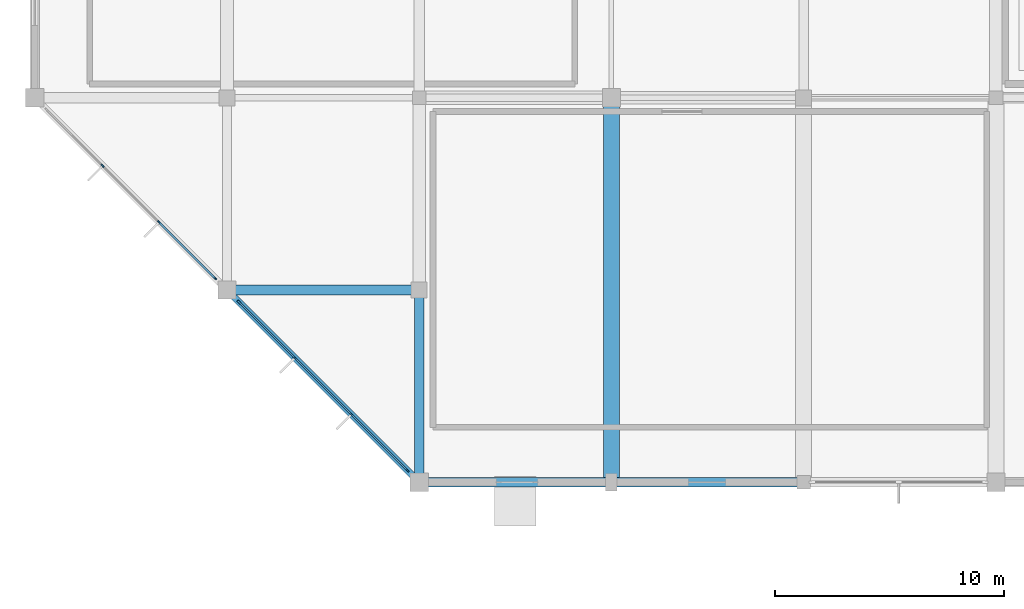
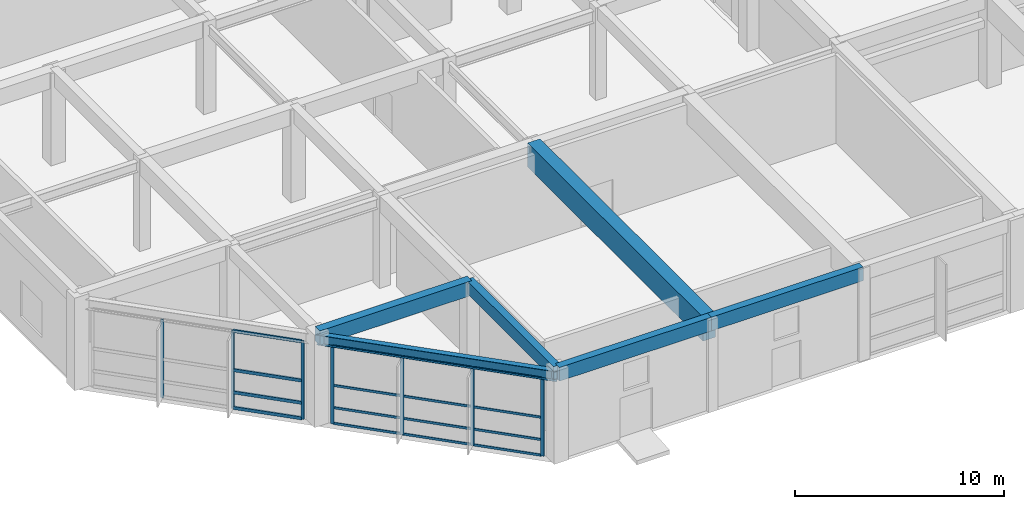
# One storey, part 8 of 62: 23 members, 6 beams, 2 elements without a shape of their own.
"""IFC4 building model written with IfcOpenShell, lengths in metres."""

from ifc_helpers import new_model, si_unit, direction, frame, origin, origin_2d, place, context, subcontext, project, spatial, rectangle, i_section, extrude, material, material_profile, profile_set, type_object, element, aggregate, save


model = new_model("IFC4")

# Units and contexts
model_context = context("Model", 3, precision=1e-05, world=origin(), true_north=direction((0.0, 1.0)))
body_context = subcontext(model_context, "Body", "Model", "MODEL_VIEW")
ifc_project = project(units=[si_unit("LENGTHUNIT", "METRE"), si_unit("AREAUNIT", "SQUARE_METRE"), si_unit("VOLUMEUNIT", "CUBIC_METRE"), si_unit("PLANEANGLEUNIT", "RADIAN"), si_unit("MASSUNIT", "GRAM", prefix="KILO")], contexts=[model_context])

# Site, building, storey
site_placement = place(None, origin())
site = spatial("IfcSite", under=ifc_project, at=site_placement, CompositionType="ELEMENT")
building_placement = place(site_placement, origin())
building = spatial("IfcBuilding", under=site, at=building_placement, Name="Xuanlan Plaza Opera House", CompositionType="ELEMENT")
storey_placement = place(building_placement, origin())
storey = spatial("IfcBuildingStorey", under=building, at=storey_placement, Name="L00", CompositionType="ELEMENT", Elevation=0.0)

# Curtain wall, members
ifc_material_1 = material(Name="Anodised Aluminium 6063-T6 and Low-E Glass", Category="aluminium")
curtain_wall_type_1 = type_object("IfcCurtainWallType", Name="ENV-CW-CW-01", PredefinedType="USERDEFINED", material=ifc_material_1)
curtain_wall_1_placement = place(storey_placement, origin())
curtain_wall_1 = element("IfcCurtainWall", 1, at=curtain_wall_1_placement, inside=storey, type_object=curtain_wall_type_1, Name="Unitised Curtain Wall L00-059", ObjectType="UNITISED CURTAIN WALL", PredefinedType="USERDEFINED")
ifc_material_2 = material(Name="Anodised Aluminium 6063-T6", Category="aluminium")
ifc_material_profile_1 = material_profile(ifc_material_2, rectangle(XDim=0.06494140625, YDim=0.159912109375, at=origin_2d()), Name="ALU-M 65x160")
ifc_profile_set_1 = profile_set([ifc_material_profile_1], Name="Anodised Aluminium 6063-T6")
member_type_1 = type_object("IfcMemberType", Name="ENV-CWM-01", PredefinedType="MULLION", material=ifc_profile_set_1)
member_1_placement = place(storey_placement, frame((2.96630859375, 13.833740234375, 0.0), z_axis=(0.0, 0.0, 1.0), x_axis=(0.707106781187, 0.707106781187, 0.0)))
member_1 = element("IfcMember", 2, at=member_1_placement, type_object=member_type_1, Name="CW-01 mullion 2", PredefinedType="MULLION", context=body_context, shape_type="SweptSolid", body=[
    extrude(rectangle(XDim=0.06494140625, YDim=0.159912109375, at=origin_2d()), origin(), (0.0, 0.0, 1.0), 4.580078125),
])
member_2_placement = place(storey_placement, frame((5.43359375, 11.366455078125, 0.0), z_axis=(0.0, 0.0, 1.0), x_axis=(0.707106781187, 0.707106781187, 0.0)))
member_2 = element("IfcMember", 3, at=member_2_placement, type_object=member_type_1, Name="CW-01 mullion 3", PredefinedType="MULLION", context=body_context, shape_type="SweptSolid", body=[
    extrude(rectangle(XDim=0.06494140625, YDim=0.159912109375, at=origin_2d()), origin(), (0.0, 0.0, 1.0), 4.580078125),
])
member_3_placement = place(storey_placement, frame((7.8779296875, 8.921875, 0.0), z_axis=(0.0, 0.0, 1.0), x_axis=(0.707106781187, 0.707106781187, 0.0)))
member_3 = element("IfcMember", 4, at=member_3_placement, type_object=member_type_1, Name="CW-01 mullion 4", PredefinedType="MULLION", context=body_context, shape_type="SweptSolid", body=[
    extrude(rectangle(XDim=0.06494140625, YDim=0.159912109375, at=origin_2d()), origin(), (0.0, 0.0, 1.0), 4.580078125),
])

curtain_wall_type_2 = type_object("IfcCurtainWallType", Name="ENV-CW-CW-02", PredefinedType="USERDEFINED", material=ifc_material_1)
curtain_wall_2_placement = place(storey_placement, origin())
curtain_wall_2 = element("IfcCurtainWall", 5, at=curtain_wall_2_placement, inside=storey, type_object=curtain_wall_type_2, Name="Unitised Curtain Wall L00-060", ObjectType="UNITISED CURTAIN WALL", PredefinedType="USERDEFINED")
ifc_material_profile_2 = material_profile(ifc_material_2, rectangle(XDim=0.070068359375, YDim=0.179931640625, at=origin_2d()), Name="ALU-M 70x180")
ifc_profile_set_2 = profile_set([ifc_material_profile_2], Name="Anodised Aluminium 6063-T6")
member_type_2 = type_object("IfcMemberType", Name="ENV-CWM-02", PredefinedType="MULLION", material=ifc_profile_set_2)
member_4_placement = place(storey_placement, frame((8.923828125, 7.876220703125, 0.0), z_axis=(0.0, 0.0, 1.0), x_axis=(0.707106781187, 0.707106781187, 0.0)))
member_4 = element("IfcMember", 6, at=member_4_placement, type_object=member_type_2, Name="CW-02 mullion 1", PredefinedType="MULLION", context=body_context, shape_type="SweptSolid", body=[
    extrude(rectangle(XDim=0.070068359375, YDim=0.179931640625, at=origin_2d()), origin(), (0.0, 0.0, 1.0), 4.580078125),
])
member_5_placement = place(storey_placement, frame((11.366455078125, 5.43359375, 0.0), z_axis=(0.0, 0.0, 1.0), x_axis=(0.707106781187, 0.707106781187, 0.0)))
member_5 = element("IfcMember", 7, at=member_5_placement, type_object=member_type_2, Name="CW-02 mullion 2", PredefinedType="MULLION", context=body_context, shape_type="SweptSolid", body=[
    extrude(rectangle(XDim=0.070068359375, YDim=0.179931640625, at=origin_2d()), origin(), (0.0, 0.0, 1.0), 4.580078125),
])
member_6_placement = place(storey_placement, frame((13.833740234375, 2.96630859375, 0.0), z_axis=(0.0, 0.0, 1.0), x_axis=(0.707106781187, 0.707106781187, 0.0)))
member_6 = element("IfcMember", 8, at=member_6_placement, type_object=member_type_2, Name="CW-02 mullion 3", PredefinedType="MULLION", context=body_context, shape_type="SweptSolid", body=[
    extrude(rectangle(XDim=0.070068359375, YDim=0.179931640625, at=origin_2d()), origin(), (0.0, 0.0, 1.0), 4.580078125),
])
member_7_placement = place(storey_placement, frame((16.2763671875, 0.523681640625, 0.0), z_axis=(0.0, 0.0, 1.0), x_axis=(0.707106781187, 0.707106781187, 0.0)))
member_7 = element("IfcMember", 9, at=member_7_placement, type_object=member_type_2, Name="CW-02 mullion 4", PredefinedType="MULLION", context=body_context, shape_type="SweptSolid", body=[
    extrude(rectangle(XDim=0.070068359375, YDim=0.179931640625, at=origin_2d()), origin(), (0.0, 0.0, 1.0), 4.580078125),
])
ifc_material_profile_3 = material_profile(ifc_material_2, rectangle(XDim=0.070068359375, YDim=0.135009765625, at=origin_2d()), Name="ALU-T 70x135")
ifc_profile_set_3 = profile_set([ifc_material_profile_3], Name="Anodised Aluminium 6063-T6")
member_type_3 = type_object("IfcMemberType", Name="ENV-CWT-02", PredefinedType="USERDEFINED", material=ifc_profile_set_3)
member_8_placement = place(storey_placement, frame((8.948486328125, 7.8515625, 0.034912109375), z_axis=(0.707106781187, -0.707106781187, 0.0), x_axis=(0.707106781187, 0.707106781187, 0.0)))
member_8 = element("IfcMember", 10, at=member_8_placement, type_object=member_type_3, Name="CW-02 transom 1.1", ObjectType="TRANSOM", PredefinedType="USERDEFINED", context=body_context, shape_type="SweptSolid", body=[
    extrude(rectangle(XDim=0.070068359375, YDim=0.135009765625, at=origin_2d()), origin(), (0.0, 0.0, 1.0), 3.38427734375),
])
member_9_placement = place(storey_placement, frame((8.948486328125, 7.8515625, 0.949951171875), z_axis=(0.707106781187, -0.707106781187, 0.0), x_axis=(0.707106781187, 0.707106781187, 0.0)))
member_9 = element("IfcMember", 11, at=member_9_placement, type_object=member_type_3, Name="CW-02 transom 1.2", ObjectType="TRANSOM", PredefinedType="USERDEFINED", context=body_context, shape_type="SweptSolid", body=[
    extrude(rectangle(XDim=0.070068359375, YDim=0.135009765625, at=origin_2d()), origin(), (0.0, 0.0, 1.0), 3.38427734375),
])
member_10_placement = place(storey_placement, frame((8.948486328125, 7.8515625, 2.25), z_axis=(0.707106781187, -0.707106781187, 0.0), x_axis=(0.707106781187, 0.707106781187, 0.0)))
member_10 = element("IfcMember", 12, at=member_10_placement, type_object=member_type_3, Name="CW-02 transom 1.3", ObjectType="TRANSOM", PredefinedType="USERDEFINED", context=body_context, shape_type="SweptSolid", body=[
    extrude(rectangle(XDim=0.070068359375, YDim=0.135009765625, at=origin_2d()), origin(), (0.0, 0.0, 1.0), 3.38427734375),
])
member_11_placement = place(storey_placement, frame((8.948486328125, 7.8515625, 4.544921875), z_axis=(0.707106781187, -0.707106781187, 0.0), x_axis=(0.707106781187, 0.707106781187, 0.0)))
member_11 = element("IfcMember", 13, at=member_11_placement, type_object=member_type_3, Name="CW-02 transom 1.4", ObjectType="TRANSOM", PredefinedType="USERDEFINED", context=body_context, shape_type="SweptSolid", body=[
    extrude(rectangle(XDim=0.070068359375, YDim=0.135009765625, at=origin_2d()), origin(), (0.0, 0.0, 1.0), 3.38427734375),
])
member_12_placement = place(storey_placement, frame((11.39111328125, 5.408935546875, 0.034912109375), z_axis=(0.707071080443, -0.707142480128, 0.0), x_axis=(0.707142480128, 0.707071080443, 0.0)))
member_12 = element("IfcMember", 14, at=member_12_placement, type_object=member_type_3, Name="CW-02 transom 2.1", ObjectType="TRANSOM", PredefinedType="USERDEFINED", context=body_context, shape_type="SweptSolid", body=[
    extrude(rectangle(XDim=0.070068359375, YDim=0.135009765625, at=origin_2d()), origin(), (0.0, 0.0, 1.0), 3.41943359375),
])
member_13_placement = place(storey_placement, frame((11.39111328125, 5.408935546875, 0.949951171875), z_axis=(0.707071080443, -0.707142480128, 0.0), x_axis=(0.707142480128, 0.707071080443, 0.0)))
member_13 = element("IfcMember", 15, at=member_13_placement, type_object=member_type_3, Name="CW-02 transom 2.2", ObjectType="TRANSOM", PredefinedType="USERDEFINED", context=body_context, shape_type="SweptSolid", body=[
    extrude(rectangle(XDim=0.070068359375, YDim=0.135009765625, at=origin_2d()), origin(), (0.0, 0.0, 1.0), 3.41943359375),
])
member_14_placement = place(storey_placement, frame((11.39111328125, 5.408935546875, 2.25), z_axis=(0.707071080443, -0.707142480128, 0.0), x_axis=(0.707142480128, 0.707071080443, 0.0)))
member_14 = element("IfcMember", 16, at=member_14_placement, type_object=member_type_3, Name="CW-02 transom 2.3", ObjectType="TRANSOM", PredefinedType="USERDEFINED", context=body_context, shape_type="SweptSolid", body=[
    extrude(rectangle(XDim=0.070068359375, YDim=0.135009765625, at=origin_2d()), origin(), (0.0, 0.0, 1.0), 3.41943359375),
])
member_15_placement = place(storey_placement, frame((11.39111328125, 5.408935546875, 4.544921875), z_axis=(0.707071080443, -0.707142480128, 0.0), x_axis=(0.707142480128, 0.707071080443, 0.0)))
member_15 = element("IfcMember", 17, at=member_15_placement, type_object=member_type_3, Name="CW-02 transom 2.4", ObjectType="TRANSOM", PredefinedType="USERDEFINED", context=body_context, shape_type="SweptSolid", body=[
    extrude(rectangle(XDim=0.070068359375, YDim=0.135009765625, at=origin_2d()), origin(), (0.0, 0.0, 1.0), 3.41943359375),
])
member_16_placement = place(storey_placement, frame((13.8583984375, 2.941650390625, 0.034912109375), z_axis=(0.707106781187, -0.707106781187, 0.0), x_axis=(0.707106781187, 0.707106781187, 0.0)))
member_16 = element("IfcMember", 18, at=member_16_placement, type_object=member_type_3, Name="CW-02 transom 3.1", ObjectType="TRANSOM", PredefinedType="USERDEFINED", context=body_context, shape_type="SweptSolid", body=[
    extrude(rectangle(XDim=0.070068359375, YDim=0.135009765625, at=origin_2d()), origin(), (0.0, 0.0, 1.0), 3.38427734375),
])
member_17_placement = place(storey_placement, frame((13.8583984375, 2.941650390625, 0.949951171875), z_axis=(0.707106781187, -0.707106781187, 0.0), x_axis=(0.707106781187, 0.707106781187, 0.0)))
member_17 = element("IfcMember", 19, at=member_17_placement, type_object=member_type_3, Name="CW-02 transom 3.2", ObjectType="TRANSOM", PredefinedType="USERDEFINED", context=body_context, shape_type="SweptSolid", body=[
    extrude(rectangle(XDim=0.070068359375, YDim=0.135009765625, at=origin_2d()), origin(), (0.0, 0.0, 1.0), 3.38427734375),
])
member_18_placement = place(storey_placement, frame((13.8583984375, 2.941650390625, 2.25), z_axis=(0.707106781187, -0.707106781187, 0.0), x_axis=(0.707106781187, 0.707106781187, 0.0)))
member_18 = element("IfcMember", 20, at=member_18_placement, type_object=member_type_3, Name="CW-02 transom 3.3", ObjectType="TRANSOM", PredefinedType="USERDEFINED", context=body_context, shape_type="SweptSolid", body=[
    extrude(rectangle(XDim=0.070068359375, YDim=0.135009765625, at=origin_2d()), origin(), (0.0, 0.0, 1.0), 3.38427734375),
])
member_19_placement = place(storey_placement, frame((13.8583984375, 2.941650390625, 4.544921875), z_axis=(0.707106781187, -0.707106781187, 0.0), x_axis=(0.707106781187, 0.707106781187, 0.0)))
member_19 = element("IfcMember", 21, at=member_19_placement, type_object=member_type_3, Name="CW-02 transom 3.4", ObjectType="TRANSOM", PredefinedType="USERDEFINED", context=body_context, shape_type="SweptSolid", body=[
    extrude(rectangle(XDim=0.070068359375, YDim=0.135009765625, at=origin_2d()), origin(), (0.0, 0.0, 1.0), 3.38427734375),
])
aggregate(curtain_wall_2, [member_4, member_5, member_6, member_7, member_8, member_9, member_10, member_11, member_12, member_13, member_14, member_15, member_16, member_17, member_18, member_19])

# Member
ifc_material_profile_4 = material_profile(ifc_material_2, rectangle(XDim=0.090087890625, YDim=0.179931640625, at=origin_2d()), Name="ALU-T 90x180")
ifc_profile_set_4 = profile_set([ifc_material_profile_4], Name="Anodised Aluminium 6063-T6")
member_type_4 = type_object("IfcMemberType", Name="ENV-CWT-05", PredefinedType="USERDEFINED", material=ifc_profile_set_4)
member_20_placement = place(storey_placement, frame((5.45654296875, 11.34326171875, 0.044921875), z_axis=(0.707142770843, -0.707070789698, 0.0), x_axis=(0.707070789698, 0.707142770843, 0.0)))
member_20 = element("IfcMember", 22, at=member_20_placement, type_object=member_type_4, Name="CW-01 transom 3.1", ObjectType="TRANSOM", PredefinedType="USERDEFINED", context=body_context, shape_type="SweptSolid", body=[
    extrude(rectangle(XDim=0.090087890625, YDim=0.179931640625, at=origin_2d()), origin(), (0.0, 0.0, 1.0), 3.391845703125),
])

member_21_placement = place(storey_placement, frame((5.45654296875, 11.34326171875, 0.949951171875), z_axis=(0.707142770843, -0.707070789698, 0.0), x_axis=(0.707070789698, 0.707142770843, 0.0)))
member_21 = element("IfcMember", 23, at=member_21_placement, type_object=member_type_4, Name="CW-01 transom 3.2", ObjectType="TRANSOM", PredefinedType="USERDEFINED", context=body_context, shape_type="SweptSolid", body=[
    extrude(rectangle(XDim=0.090087890625, YDim=0.179931640625, at=origin_2d()), origin(), (0.0, 0.0, 1.0), 3.391845703125),
])

member_22_placement = place(storey_placement, frame((5.45654296875, 11.34326171875, 2.25), z_axis=(0.707142770843, -0.707070789698, 0.0), x_axis=(0.707070789698, 0.707142770843, 0.0)))
member_22 = element("IfcMember", 24, at=member_22_placement, type_object=member_type_4, Name="CW-01 transom 3.3", ObjectType="TRANSOM", PredefinedType="USERDEFINED", context=body_context, shape_type="SweptSolid", body=[
    extrude(rectangle(XDim=0.090087890625, YDim=0.179931640625, at=origin_2d()), origin(), (0.0, 0.0, 1.0), 3.391845703125),
])

member_23_placement = place(storey_placement, frame((5.45654296875, 11.34326171875, 4.534912109375), z_axis=(0.707142770843, -0.707070789698, 0.0), x_axis=(0.707070789698, 0.707142770843, 0.0)))
member_23 = element("IfcMember", 25, at=member_23_placement, type_object=member_type_4, Name="CW-01 transom 3.4", ObjectType="TRANSOM", PredefinedType="USERDEFINED", context=body_context, shape_type="SweptSolid", body=[
    extrude(rectangle(XDim=0.090087890625, YDim=0.179931640625, at=origin_2d()), origin(), (0.0, 0.0, 1.0), 3.391845703125),
])

aggregate(curtain_wall_1, [member_1, member_2, member_3, member_20, member_21, member_22, member_23])

# Beams
ifc_material_3 = material(Name="Concrete C40", Category="concrete")
ifc_material_profile_5 = material_profile(ifc_material_3, rectangle(XDim=0.449951171875, YDim=0.85009765625, at=origin_2d()), Name="RC-BM 450x850")
ifc_profile_set_5 = profile_set([ifc_material_profile_5], Name="Concrete C40")
beam_type_1 = type_object("IfcBeamType", Name="STR-BM-B-04", PredefinedType="BEAM", material=ifc_profile_set_5)
beam_1_placement = place(storey_placement, frame((8.39990234375, 8.39990234375, 4.97509765625), z_axis=(1.0, 0.0, 0.0), x_axis=(0.0, 1.0, 0.0)))
element("IfcBeam", 26, at=beam_1_placement, inside=storey, type_object=beam_type_1, Name="Grid Beam X L00 2-3/B", PredefinedType="BEAM", context=body_context, shape_type="SweptSolid", body=[
    extrude(rectangle(XDim=0.449951171875, YDim=0.85009765625, at=origin_2d()), origin(), (0.0, 0.0, 1.0), 8.400146484375),
])
ifc_material_profile_6 = material_profile(ifc_material_3, rectangle(XDim=0.39990234375, YDim=0.75, at=origin_2d()), Name="RC-BM 400x750")
ifc_profile_set_6 = profile_set([ifc_material_profile_6], Name="Concrete C40")
beam_type_2 = type_object("IfcBeamType", Name="STR-BM-B-06", PredefinedType="BEAM", material=ifc_profile_set_6)
beam_2_placement = place(storey_placement, frame((16.800048828125, 0.0, 5.02490234375), z_axis=(0.0, 1.0, 0.0), x_axis=(-1.0, 0.0, 0.0)))
element("IfcBeam", 27, at=beam_2_placement, inside=storey, type_object=beam_type_2, Name="Grid Beam Y L00 3/A-B", PredefinedType="BEAM", context=body_context, shape_type="SweptSolid", body=[
    extrude(rectangle(XDim=0.39990234375, YDim=0.75, at=origin_2d()), origin(), (0.0, 0.0, 1.0), 8.39990234375),
])
ifc_material_4 = material(Name="Concrete C50", Category="concrete")
ifc_material_profile_7 = material_profile(ifc_material_4, rectangle(XDim=0.699951171875, YDim=1.39990234375, at=origin_2d()), Name="RC-LG 700x1400")
ifc_profile_set_7 = profile_set([ifc_material_profile_7], Name="Concrete C50")
beam_type_3 = type_object("IfcBeamType", Name="STR-BM-LG-01", PredefinedType="BEAM", material=ifc_profile_set_7)
beam_3_placement = place(storey_placement, frame((25.199951171875, 0.0, 4.699951171875), z_axis=(0.0, 1.0, 0.0), x_axis=(-1.0, 0.0, 0.0)))
element("IfcBeam", 28, at=beam_3_placement, inside=storey, type_object=beam_type_3, Name="Grid Beam Y L00 4/A-C", PredefinedType="BEAM", context=body_context, shape_type="SweptSolid", body=[
    extrude(rectangle(XDim=0.699951171875, YDim=1.39990234375, at=origin_2d()), origin(), (0.0, 0.0, 1.0), 16.800048828125),
])
ifc_material_profile_8 = material_profile(ifc_material_3, rectangle(XDim=0.39990234375, YDim=0.800048828125, at=origin_2d()), Name="RC-SPD 400x800")
ifc_profile_set_8 = profile_set([ifc_material_profile_8], Name="Concrete C40")
beam_type_4 = type_object("IfcBeamType", Name="STR-BM-SP-01", PredefinedType="SPANDREL", material=ifc_profile_set_8)
beam_4_placement = place(storey_placement, frame((16.800048828125, 0.0, 5.0), z_axis=(1.0, 0.0, 0.0), x_axis=(0.0, 1.0, 0.0)))
element("IfcBeam", 29, at=beam_4_placement, inside=storey, type_object=beam_type_4, Name="Grid Beam X L00 3-4/A", PredefinedType="SPANDREL", context=body_context, shape_type="SweptSolid", body=[
    extrude(rectangle(XDim=0.39990234375, YDim=0.800048828125, at=origin_2d()), origin(), (0.0, 0.0, 1.0), 8.39990234375),
])
beam_5_placement = place(storey_placement, frame((25.199951171875, 0.0, 5.0), z_axis=(1.0, 0.0, 0.0), x_axis=(0.0, 1.0, 0.0)))
element("IfcBeam", 30, at=beam_5_placement, inside=storey, type_object=beam_type_4, Name="Grid Beam X L00 4-5/A", PredefinedType="SPANDREL", context=body_context, shape_type="SweptSolid", body=[
    extrude(rectangle(XDim=0.39990234375, YDim=0.800048828125, at=origin_2d()), origin(), (0.0, 0.0, 1.0), 8.400146484375),
])
ifc_material_5 = material(Name="Steel Q355B", Category="steel")
ifc_material_profile_9 = material_profile(ifc_material_5, i_section(OverallWidth=0.300048828125, OverallDepth=0.587890625, WebThickness=0.011962890625, FlangeThickness=0.02001953125, FilletRadius=0.02392578125, at=origin_2d()), Name="HM 588x300x12x20")
ifc_profile_set_9 = profile_set([ifc_material_profile_9], Name="Steel Q355B")
beam_type_5 = type_object("IfcBeamType", Name="STR-BM-SP-03", PredefinedType="SPANDREL", material=ifc_profile_set_9)
beam_6_placement = place(storey_placement, frame((16.800048828125, 0.0, 4.841064453125), z_axis=(-0.707117056885, 0.707096505339, 0.0), x_axis=(-0.707096505339, -0.707117056885, 0.0)))
element("IfcBeam", 31, at=beam_6_placement, inside=storey, type_object=beam_type_5, Name="Faceted Edge Spandrel L00 CH03A", PredefinedType="SPANDREL", context=body_context, shape_type="SweptSolid", body=[
    extrude(i_section(OverallWidth=0.300048828125, OverallDepth=0.587890625, WebThickness=0.011962890625, FlangeThickness=0.02001953125, FilletRadius=0.02392578125, at=origin_2d()), origin(), (0.0, 0.0, 1.0), 11.87939453125),
])

save(model, "model.ifc")
